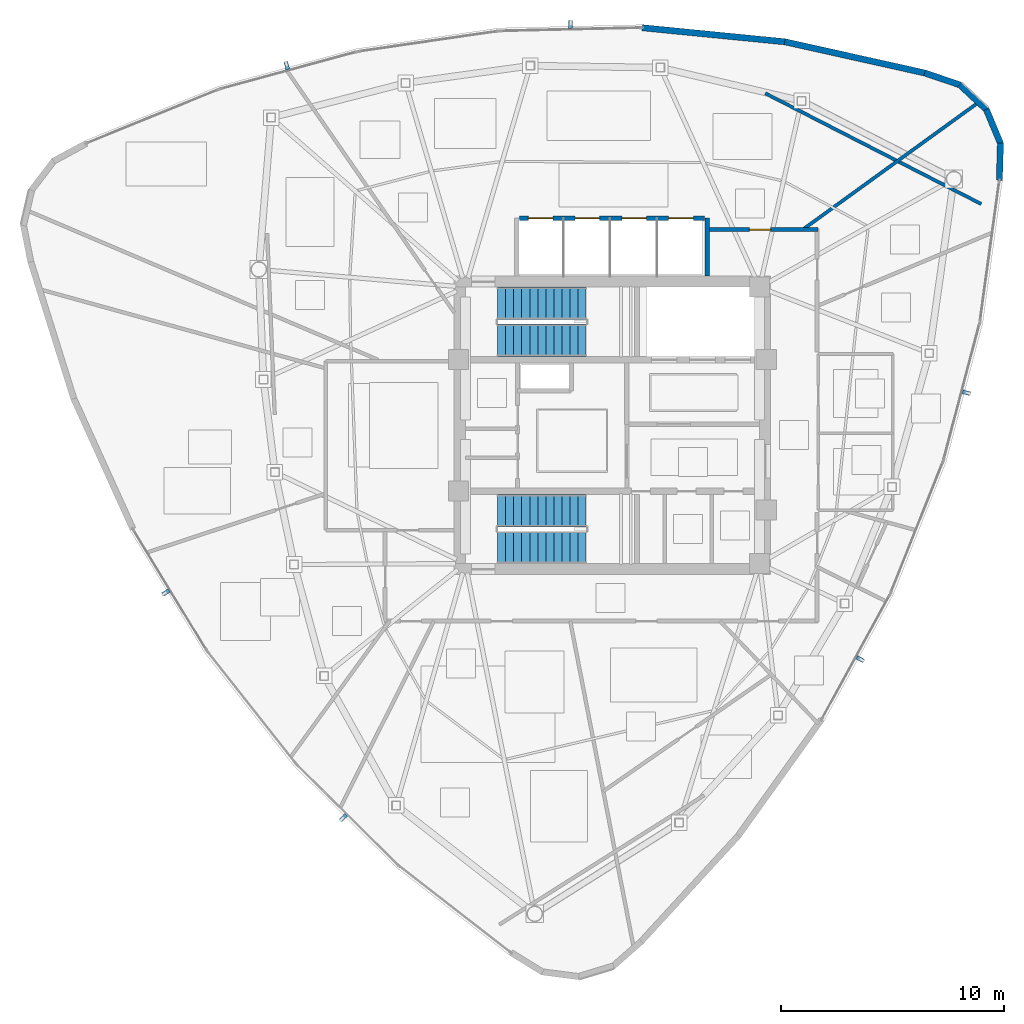
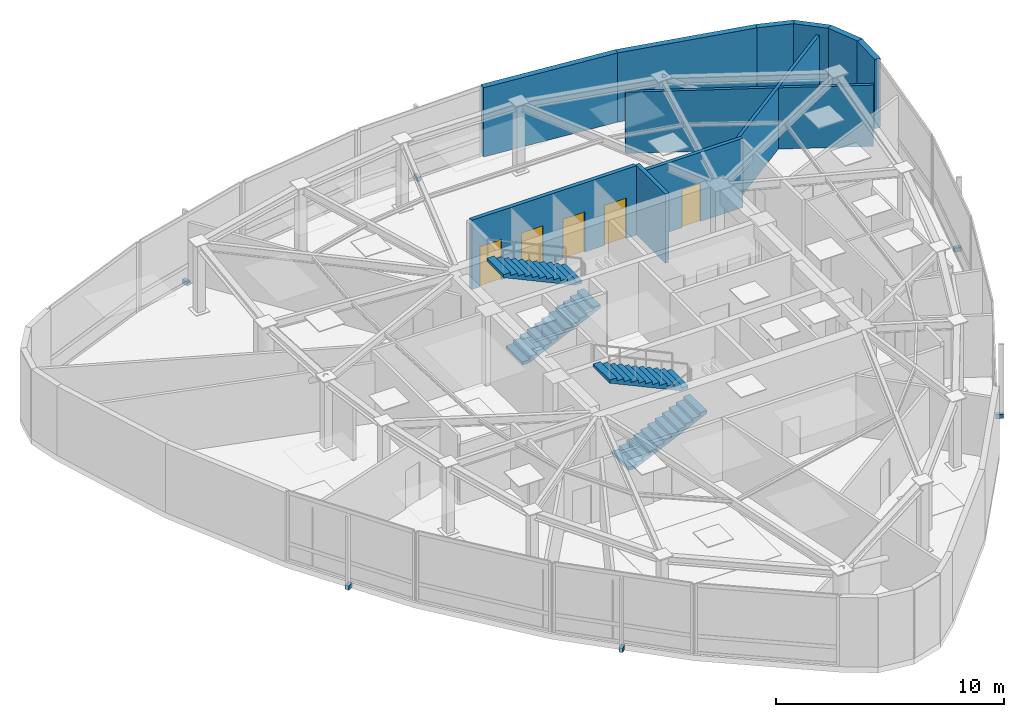
# One storey, part 10 of 12: 11 walls, 6 discrete accessories, 5 doors, 4 stair flights, 5 openings, 2 elements without a shape of their own.
"""IFC4 building model written with IfcOpenShell, lengths in metres."""

from ifc_helpers import new_model, si_unit, direction, frame, frame_2d, origin, origin_2d, place, context, subcontext, project, spatial, polyline, rectangle, outline, extrude, source, transform, mapped, material, layer, layer_set, type_object, type_shapes, element, fill, aggregate, save


model = new_model("IFC4")

# Units and contexts
model_context = context("Model", 3, precision=1e-05, world=origin(), true_north=direction((0.0, 1.0)))
body_context = subcontext(model_context, "Body", "Model", "MODEL_VIEW")
ifc_project = project(units=[si_unit("LENGTHUNIT", "METRE"), si_unit("AREAUNIT", "SQUARE_METRE"), si_unit("VOLUMEUNIT", "CUBIC_METRE"), si_unit("PLANEANGLEUNIT", "RADIAN"), si_unit("MASSUNIT", "GRAM", prefix="KILO")], contexts=[model_context])

# Site, building, storey
site_placement = place(None, origin())
site = spatial("IfcSite", under=ifc_project, at=site_placement, CompositionType="ELEMENT")
building_placement = place(site_placement, origin())
building = spatial("IfcBuilding", under=site, at=building_placement, Name="Tavelor Broadcast Tower", CompositionType="ELEMENT")
storey_placement = place(building_placement, frame((0.0, 0.0, 317.5)))
storey = spatial("IfcBuildingStorey", under=building, at=storey_placement, Name="L76", CompositionType="ELEMENT", Elevation=317.5)

# Wall, opening, door
ifc_material_1 = material(Name="Calcium Silicate Fire Board 180 mm", Category="gypsum")
ifc_layer_1 = layer(ifc_material_1, 0.179931640625)
ifc_layer_set_1 = layer_set([ifc_layer_1], Name="Calcium Silicate Fire Board 180 mm")
wall_type_1 = type_object("IfcWallType", Name="Fire-Rated Corridor Partition Wall 180 mm", PredefinedType="PARTITIONING", material=ifc_layer_set_1)
wall_1_placement = place(storey_placement, frame((54.300048828125, 53.780029296875, 0.0), z_axis=(0.0, 0.0, 1.0), x_axis=(1.0, 0.0, 0.0)))
wall_1 = element("IfcWall", 1, at=wall_1_placement, inside=storey, type_object=wall_type_1, Name="L76 Corridor Compartment Wall 01", PredefinedType="PARTITIONING", context=body_context, shape_type="SweptSolid", body=[
    extrude(rectangle(XDim=4.929931640625, YDim=0.179931640625, at=frame_2d((2.46484375, 0.0))), origin(), (0.0, 0.0, 1.0), 3.699951171875),
])
opening_1_placement = place(wall_1_placement, frame((1.8408203125, 0.0, 0.0)))
opening_1 = element("IfcOpeningElement", 2, at=opening_1_placement, cuts=wall_1, Name="Opening DR18", PredefinedType="OPENING", context=body_context, shape_type="SweptSolid", body=[
    extrude(rectangle(XDim=0.949951171875, YDim=2.050048828125, at=frame_2d((0.47509765625, 1.02490234375))), frame((0.0, 0.10009765625, 0.0), z_axis=(0.0, -1.0, 0.0), x_axis=(1.0, 0.0, 0.0)), (0.0, 0.0, 1.0), 0.199951171875),
])
ifc_material_2 = material(Name="Timber Solid Core Hardwood", Category="wood")
door_type_1 = type_object("IfcDoorType", Name="Corridor Rated Compartment Door 950x2050", OperationType="NOTDEFINED", PredefinedType="DOOR", material=ifc_material_2)
door_1_placement = place(opening_1_placement, origin())
door_1 = element("IfcDoor", 3, at=door_1_placement, inside=storey, type_object=door_type_1, Name="L76 Editorial Quiet Study Door R9", OperationType="SINGLE_SWING_RIGHT", OverallHeight=2.050048828125, OverallWidth=0.949951171875, PredefinedType="DOOR", context=body_context, shape_type="SweptSolid", body=[
    extrude(rectangle(XDim=0.949951171875, YDim=2.050048828125, at=frame_2d((0.47509765625, 1.02490234375))), frame((0.0, 0.02490234375, 0.0), z_axis=(0.0, -1.0, 0.0), x_axis=(1.0, 0.0, 0.0)), (0.0, 0.0, 1.0), 0.050048828125),
])
fill(opening_1, door_1)

# Walls
ifc_material_3 = material(Name="Precast Concrete C40/50", Category="concrete")
ifc_layer_2 = layer(ifc_material_3, 0.280029296875)
ifc_layer_set_2 = layer_set([ifc_layer_2], Name="Precast Concrete C40/50")
wall_type_2 = type_object("IfcWallType", Name="Insulated Precast Terracotta Facade Wall 280 mm", PredefinedType="STANDARD", material=ifc_layer_set_2)
wall_2_placement = place(storey_placement, frame((67.359619140625, 55.99658203125, 0.0), z_axis=(0.0, 0.0, 1.0), x_axis=(0.02871373172, 0.9995876758, 0.0)))
element("IfcWall", 4, at=wall_2_placement, inside=storey, type_object=wall_type_2, Name="L76 Rounded Corner Structural Cladding Pier 21", PredefinedType="STANDARD", context=body_context, shape_type="SweptSolid", body=[
    extrude(rectangle(XDim=1.675048828125, YDim=0.280029296875, at=frame_2d((0.83740234375, 0.0))), origin(), (0.0, 0.0, 1.0), 3.699951171875),
])
for number, where, z_axis, x_axis, name in (
    (5, (67.4130859375, 57.64208984375, 0.0), (0.0, 0.0, 1.0), (-0.385167719297, 0.922846589641, 0.0), "L76 Rounded Corner Structural Cladding Pier 22"),
    (6, (66.789306640625, 59.153076171875, 0.0), (0.0, 0.0, 1.0), (-0.730767241327, 0.682626720107, 0.0), "L76 Rounded Corner Structural Cladding Pier 23"),
):
    element("IfcWall", number, at=place(storey_placement, frame(where, z_axis=z_axis, x_axis=x_axis)), inside=storey, type_object=wall_type_2, Name=name, PredefinedType="STANDARD", context=body_context, shape_type="SweptSolid", body=[
        extrude(rectangle(XDim=1.663330078125, YDim=0.280029296875, at=frame_2d((0.83154296875, 0.0))), origin(), (0.0, 0.0, 1.0), 3.699951171875),
    ])
wall_3_placement = place(storey_placement, frame((65.598876953125, 60.2734375, 0.0), z_axis=(0.0, 0.0, 1.0), x_axis=(-0.946975553398, 0.321305619723, 0.0)))
element("IfcWall", 7, at=wall_3_placement, inside=storey, type_object=wall_type_2, Name="L76 Rounded Corner Structural Cladding Pier 24", PredefinedType="STANDARD", context=body_context, shape_type="SweptSolid", body=[
    extrude(rectangle(XDim=1.68603515625, YDim=0.280029296875, at=frame_2d((0.843017578125, 0.0))), origin(), (0.0, 0.0, 1.0), 3.699951171875),
])
wall_4_placement = place(storey_placement, frame((64.03125, 60.80712890625, 0.0), z_axis=(0.0, 0.0, 1.0), x_axis=(-0.976005326355, 0.217746648486, 0.0)))
element("IfcWall", 8, at=wall_4_placement, inside=storey, type_object=wall_type_2, Name="L76 Rounded Corner Structural Cladding Pier 25", PredefinedType="STANDARD", context=body_context, shape_type="SweptSolid", body=[
    extrude(rectangle(XDim=6.46044921875, YDim=0.280029296875, at=frame_2d((3.230224609375, 0.0))), origin(), (0.0, 0.0, 1.0), 3.699951171875),
])
wall_5_placement = place(storey_placement, frame((57.75537109375, 62.208984375, 0.0), z_axis=(0.0, 0.0, 1.0), x_axis=(-0.995180465795, 0.098060392102, 0.0)))
element("IfcWall", 9, at=wall_5_placement, inside=storey, type_object=wall_type_2, Name="L76 Rounded Corner Structural Cladding Pier 26", PredefinedType="STANDARD", context=body_context, shape_type="SweptSolid", body=[
    extrude(rectangle(XDim=6.4482421875, YDim=0.280029296875, at=frame_2d((3.22412109375, 0.0))), origin(), (0.0, 0.0, 1.0), 3.699951171875),
])
ifc_material_4 = material(Name="Gypsum Acoustic Plasterboard 150 mm", Category="gypsum")
ifc_layer_3 = layer(ifc_material_4, 0.14990234375)
ifc_layer_set_3 = layer_set([ifc_layer_3], Name="Gypsum Acoustic Plasterboard 150 mm")
wall_type_3 = type_object("IfcWallType", Name="Interior Acoustic Partition Wall 150 mm", PredefinedType="PARTITIONING", material=ifc_layer_set_3)
wall_6_placement = place(storey_placement, frame((66.542724609375, 54.934326171875, 0.0), z_axis=(0.0, 0.0, 1.0), x_axis=(-0.889966951661, 0.456025026673, 0.0)))
element("IfcWall", 10, at=wall_6_placement, inside=storey, type_object=wall_type_3, Name="L76 Corner Tube Brace Furring Wall 3", PredefinedType="PARTITIONING", context=body_context, shape_type="SweptSolid", body=[
    extrude(rectangle(XDim=10.878662109375, YDim=0.14990234375, at=frame_2d((5.439453125, 0.0))), origin(), (0.0, 0.0, 1.0), 3.27490234375),
])
wall_7_placement = place(storey_placement, frame((58.53173828125, 53.780029296875, 0.0), z_axis=(0.0, 0.0, 1.0), x_axis=(0.810101990737, 0.586288977045, 0.0)))
element("IfcWall", 11, at=wall_7_placement, inside=storey, type_object=wall_type_3, Name="L76 Radial Compartment Wall 06", PredefinedType="PARTITIONING", context=body_context, shape_type="SweptSolid", body=[
    extrude(rectangle(XDim=9.754150390625, YDim=0.14990234375, at=frame_2d((4.876953125, 0.0))), origin(), (0.0, 0.0, 1.0), 3.27490234375),
])

# Wall, openings, doors
ifc_material_5 = material(Name="Concrete Blockwork 200 mm", Category="masonry")
ifc_layer_4 = layer(ifc_material_5, 0.199951171875)
ifc_layer_set_4 = layer_set([ifc_layer_4], Name="Concrete Blockwork 200 mm")
wall_type_4 = type_object("IfcWallType", Name="Lift Hoistway Rated Front Wall 200 mm", PredefinedType="PARTITIONING", material=ifc_layer_set_4)
wall_8_placement = place(storey_placement, frame((45.820068359375, 54.300048828125, 0.0), z_axis=(0.0, 0.0, 1.0), x_axis=(1.0, 0.0, 0.0)))
wall_8 = element("IfcWall", 12, at=wall_8_placement, inside=storey, type_object=wall_type_4, Name="L76 High-Rise Lift Hoistway Front Wall", PredefinedType="PARTITIONING", context=body_context, shape_type="SweptSolid", body=[
    extrude(rectangle(XDim=8.309814453125, YDim=0.199951171875, at=frame_2d((4.15478515625, 0.0))), origin(), (0.0, 0.0, 1.0), 3.699951171875),
])
opening_2_placement = place(wall_8_placement, frame((0.405029296875, 0.0, 0.0)))
opening_2 = element("IfcOpeningElement", 13, at=opening_2_placement, cuts=wall_8, Name="Opening LD01", PredefinedType="OPENING", context=body_context, shape_type="SweptSolid", body=[
    extrude(rectangle(XDim=1.10009765625, YDim=2.14990234375, at=frame_2d((0.550048828125, 1.074951171875))), frame((0.0, 0.10986328125, 0.0), z_axis=(0.0, -1.0, 0.0), x_axis=(1.0, 0.0, 0.0)), (0.0, 0.0, 1.0), 0.219970703125),
])
opening_3_placement = place(wall_8_placement, frame((2.5048828125, 0.0, 0.0)))
opening_3 = element("IfcOpeningElement", 14, at=opening_3_placement, cuts=wall_8, Name="Opening LD01", PredefinedType="OPENING", context=body_context, shape_type="SweptSolid", body=[
    extrude(rectangle(XDim=1.10009765625, YDim=2.14990234375, at=frame_2d((0.550048828125, 1.074951171875))), frame((0.0, 0.10986328125, 0.0), z_axis=(0.0, -1.0, 0.0), x_axis=(1.0, 0.0, 0.0)), (0.0, 0.0, 1.0), 0.219970703125),
])
opening_4_placement = place(wall_8_placement, frame((4.60498046875, 0.0, 0.0)))
opening_4 = element("IfcOpeningElement", 15, at=opening_4_placement, cuts=wall_8, Name="Opening LD01", PredefinedType="OPENING", context=body_context, shape_type="SweptSolid", body=[
    extrude(rectangle(XDim=1.10009765625, YDim=2.14990234375, at=frame_2d((0.550048828125, 1.074951171875))), frame((0.0, 0.10986328125, 0.0), z_axis=(0.0, -1.0, 0.0), x_axis=(1.0, 0.0, 0.0)), (0.0, 0.0, 1.0), 0.219970703125),
])
opening_5_placement = place(wall_8_placement, frame((6.705078125, 0.0, 0.0)))
opening_5 = element("IfcOpeningElement", 16, at=opening_5_placement, cuts=wall_8, Name="Opening LD01", PredefinedType="OPENING", context=body_context, shape_type="SweptSolid", body=[
    extrude(rectangle(XDim=1.10009765625, YDim=2.14990234375, at=frame_2d((0.550048828125, 1.074951171875))), frame((0.0, 0.10986328125, 0.0), z_axis=(0.0, -1.0, 0.0), x_axis=(1.0, 0.0, 0.0)), (0.0, 0.0, 1.0), 0.219970703125),
])
ifc_material_6 = material(Name="Brushed Stainless Steel", Category="steel")
door_type_2 = type_object("IfcDoorType", Name="Passenger Lift Sliding Landing Door 1100x2150", OperationType="NOTDEFINED", PredefinedType="DOOR", material=ifc_material_6)
door_2_placement = place(opening_2_placement, origin())
door_2 = element("IfcDoor", 17, at=door_2_placement, inside=storey, type_object=door_type_2, Name="L76 Lift PLH1 Sliding Landing Door", OperationType="SLIDING_TO_LEFT", OverallHeight=2.14990234375, OverallWidth=1.10009765625, PredefinedType="DOOR", context=body_context, shape_type="SweptSolid", body=[
    extrude(rectangle(XDim=1.10009765625, YDim=2.14990234375, at=frame_2d((0.550048828125, 1.074951171875))), frame((0.0, 0.02490234375, 0.0), z_axis=(0.0, -1.0, 0.0), x_axis=(1.0, 0.0, 0.0)), (0.0, 0.0, 1.0), 0.050048828125),
])
fill(opening_2, door_2)
door_3_placement = place(opening_3_placement, origin())
door_3 = element("IfcDoor", 18, at=door_3_placement, inside=storey, type_object=door_type_2, Name="L76 Lift PLH2 Sliding Landing Door", OperationType="SLIDING_TO_RIGHT", OverallHeight=2.14990234375, OverallWidth=1.10009765625, PredefinedType="DOOR", context=body_context, shape_type="SweptSolid", body=[
    extrude(rectangle(XDim=1.10009765625, YDim=2.14990234375, at=frame_2d((0.550048828125, 1.074951171875))), frame((0.0, 0.02490234375, 0.0), z_axis=(0.0, -1.0, 0.0), x_axis=(1.0, 0.0, 0.0)), (0.0, 0.0, 1.0), 0.050048828125),
])
fill(opening_3, door_3)
door_4_placement = place(opening_4_placement, origin())
door_4 = element("IfcDoor", 19, at=door_4_placement, inside=storey, type_object=door_type_2, Name="L76 Lift PLH3 Sliding Landing Door", OperationType="SLIDING_TO_LEFT", OverallHeight=2.14990234375, OverallWidth=1.10009765625, PredefinedType="DOOR", context=body_context, shape_type="SweptSolid", body=[
    extrude(rectangle(XDim=1.10009765625, YDim=2.14990234375, at=frame_2d((0.550048828125, 1.074951171875))), frame((0.0, 0.02490234375, 0.0), z_axis=(0.0, -1.0, 0.0), x_axis=(1.0, 0.0, 0.0)), (0.0, 0.0, 1.0), 0.050048828125),
])
fill(opening_4, door_4)
door_5_placement = place(opening_5_placement, origin())
door_5 = element("IfcDoor", 20, at=door_5_placement, inside=storey, type_object=door_type_2, Name="L76 Lift PLH4 Sliding Landing Door", OperationType="SLIDING_TO_RIGHT", OverallHeight=2.14990234375, OverallWidth=1.10009765625, PredefinedType="DOOR", context=body_context, shape_type="SweptSolid", body=[
    extrude(rectangle(XDim=1.10009765625, YDim=2.14990234375, at=frame_2d((0.550048828125, 1.074951171875))), frame((0.0, 0.02490234375, 0.0), z_axis=(0.0, -1.0, 0.0), x_axis=(1.0, 0.0, 0.0)), (0.0, 0.0, 1.0), 0.050048828125),
])
fill(opening_5, door_5)

# Wall
ifc_layer_5 = layer(ifc_material_5, 0.199951171875)
ifc_layer_set_5 = layer_set([ifc_layer_5], Name="Concrete Blockwork 200 mm")
wall_type_5 = type_object("IfcWallType", Name="Lift and Riser Shaft Enclosure Wall 200 mm", PredefinedType="PARTITIONING", material=ifc_layer_set_5)
wall_9_placement = place(storey_placement, frame((54.25, 51.699951171875, 0.0), z_axis=(0.0, 0.0, 1.0), x_axis=(0.0, 1.0, 0.0)))
element("IfcWall", 21, at=wall_9_placement, inside=storey, type_object=wall_type_5, Name="L76 High-Rise Lift Shaft East Wall", PredefinedType="PARTITIONING", context=body_context, shape_type="SweptSolid", body=[
    extrude(rectangle(XDim=2.60009765625, YDim=0.199951171875, at=frame_2d((1.300048828125, 0.0))), origin(), (0.0, 0.0, 1.0), 3.699951171875),
])

# Stair, stair flights
ifc_material_7 = material(Name="Concrete C40/50", Category="concrete")
stair_type = type_object("IfcStairType", Name="Reinforced Concrete Protected Dogleg Stair 1450 mm", PredefinedType="HALF_TURN_STAIR", material=ifc_material_7)
stair_1_placement = place(storey_placement, origin())
stair_1 = element("IfcStair", 22, at=stair_1_placement, inside=storey, type_object=stair_type, Name="L76 Protected Core Exit Stair ST1", PredefinedType="HALF_TURN_STAIR")
stair_flight_type = type_object("IfcStairFlightType", Name="Reinforced Concrete Stair Flight 1450 mm", PredefinedType="STRAIGHT", material=ifc_material_7)
stair_flight_1_placement = place(storey_placement, frame((44.85009765625, 48.824951171875, 0.0), z_axis=(0.0, 0.0, 1.0), x_axis=(1.0, 0.0, 0.0)))
stair_flight_1 = element("IfcStairFlight", 23, at=stair_flight_1_placement, type_object=stair_flight_type, Name="ST1 flight 1", NumberOfRisers=12, NumberOfTreads=11, PredefinedType="STRAIGHT", RiserHeight=0.166666667, TreadLength=0.36, context=body_context, shape_type="SweptSolid", body=[
    extrude(outline(polyline([(0.0, 0.0), (0.0, 0.166748046875), (0.360107421875, 0.166748046875), (0.360107421875, 0.333251953125), (0.719970703125, 0.333251953125), (0.719970703125, 0.5), (1.080078125, 0.5), (1.080078125, 0.666748046875), (1.43994140625, 0.666748046875), (1.43994140625, 0.833251953125), (1.800048828125, 0.833251953125), (1.800048828125, 1.0), (2.159912109375, 1.0), (2.159912109375, 1.166748046875), (2.52001953125, 1.166748046875), (2.52001953125, 1.333251953125), (2.8798828125, 1.333251953125), (2.8798828125, 1.5), (3.239990234375, 1.5), (3.239990234375, 1.666748046875), (3.60009765625, 1.666748046875), (3.60009765625, 1.833251953125), (3.9599609375, 1.833251953125), (3.9599609375, 2.0), (3.9599609375, 1.668212890625), (0.356689453125, 0.0), (0.0, 0.0)])), frame((0.0, 0.72509765625, 0.0), z_axis=(0.0, -1.0, 0.0), x_axis=(1.0, 0.0, 0.0)), (0.0, 0.0, 1.0), 1.449951171875),
])
stair_flight_2_placement = place(storey_placement, frame((48.81005859375, 50.47509765625, 2.0), z_axis=(0.0, 0.0, 1.0), x_axis=(-1.0, 0.0, 0.0)))
stair_flight_2 = element("IfcStairFlight", 24, at=stair_flight_2_placement, type_object=stair_flight_type, Name="ST1 flight 2", NumberOfRisers=12, NumberOfTreads=11, PredefinedType="STRAIGHT", RiserHeight=0.166666667, TreadLength=0.36, context=body_context, shape_type="SweptSolid", body=[
    extrude(outline(polyline([(0.0, 0.0), (0.0, 0.166748046875), (0.360107421875, 0.166748046875), (0.360107421875, 0.333251953125), (0.719970703125, 0.333251953125), (0.719970703125, 0.5), (1.080078125, 0.5), (1.080078125, 0.666748046875), (1.43994140625, 0.666748046875), (1.43994140625, 0.833251953125), (1.800048828125, 0.833251953125), (1.800048828125, 1.0), (2.159912109375, 1.0), (2.159912109375, 1.166748046875), (2.52001953125, 1.166748046875), (2.52001953125, 1.333251953125), (2.8798828125, 1.333251953125), (2.8798828125, 1.5), (3.239990234375, 1.5), (3.239990234375, 1.666748046875), (3.60009765625, 1.666748046875), (3.60009765625, 1.833251953125), (3.9599609375, 1.833251953125), (3.9599609375, 2.0), (3.9599609375, 1.668212890625), (0.356689453125, 0.0), (0.0, 0.0)])), frame((0.0, 0.72509765625, 0.0), z_axis=(0.0, -1.0, 0.0), x_axis=(1.0, 0.0, 0.0)), (0.0, 0.0, 1.0), 1.449951171875),
])
aggregate(stair_1, [stair_flight_1, stair_flight_2])

stair_2_placement = place(storey_placement, origin())
stair_2 = element("IfcStair", 25, at=stair_2_placement, inside=storey, type_object=stair_type, Name="L76 Protected Core Exit Stair ST2", PredefinedType="HALF_TURN_STAIR")
stair_flight_3_placement = place(storey_placement, frame((44.85009765625, 39.52490234375, 0.0), z_axis=(0.0, 0.0, 1.0), x_axis=(1.0, 0.0, 0.0)))
stair_flight_3 = element("IfcStairFlight", 26, at=stair_flight_3_placement, type_object=stair_flight_type, Name="ST2 flight 1", NumberOfRisers=12, NumberOfTreads=11, PredefinedType="STRAIGHT", RiserHeight=0.166666667, TreadLength=0.36, context=body_context, shape_type="SweptSolid", body=[
    extrude(outline(polyline([(0.0, 0.0), (0.0, 0.166748046875), (0.360107421875, 0.166748046875), (0.360107421875, 0.333251953125), (0.719970703125, 0.333251953125), (0.719970703125, 0.5), (1.080078125, 0.5), (1.080078125, 0.666748046875), (1.43994140625, 0.666748046875), (1.43994140625, 0.833251953125), (1.800048828125, 0.833251953125), (1.800048828125, 1.0), (2.159912109375, 1.0), (2.159912109375, 1.166748046875), (2.52001953125, 1.166748046875), (2.52001953125, 1.333251953125), (2.8798828125, 1.333251953125), (2.8798828125, 1.5), (3.239990234375, 1.5), (3.239990234375, 1.666748046875), (3.60009765625, 1.666748046875), (3.60009765625, 1.833251953125), (3.9599609375, 1.833251953125), (3.9599609375, 2.0), (3.9599609375, 1.668212890625), (0.356689453125, 0.0), (0.0, 0.0)])), frame((0.0, 0.72509765625, 0.0), z_axis=(0.0, -1.0, 0.0), x_axis=(1.0, 0.0, 0.0)), (0.0, 0.0, 1.0), 1.449951171875),
])
stair_flight_4_placement = place(storey_placement, frame((48.81005859375, 41.175048828125, 2.0), z_axis=(0.0, 0.0, 1.0), x_axis=(-1.0, 0.0, 0.0)))
stair_flight_4 = element("IfcStairFlight", 27, at=stair_flight_4_placement, type_object=stair_flight_type, Name="ST2 flight 2", NumberOfRisers=12, NumberOfTreads=11, PredefinedType="STRAIGHT", RiserHeight=0.166666667, TreadLength=0.36, context=body_context, shape_type="SweptSolid", body=[
    extrude(outline(polyline([(0.0, 0.0), (0.0, 0.166748046875), (0.360107421875, 0.166748046875), (0.360107421875, 0.333251953125), (0.719970703125, 0.333251953125), (0.719970703125, 0.5), (1.080078125, 0.5), (1.080078125, 0.666748046875), (1.43994140625, 0.666748046875), (1.43994140625, 0.833251953125), (1.800048828125, 0.833251953125), (1.800048828125, 1.0), (2.159912109375, 1.0), (2.159912109375, 1.166748046875), (2.52001953125, 1.166748046875), (2.52001953125, 1.333251953125), (2.8798828125, 1.333251953125), (2.8798828125, 1.5), (3.239990234375, 1.5), (3.239990234375, 1.666748046875), (3.60009765625, 1.666748046875), (3.60009765625, 1.833251953125), (3.9599609375, 1.833251953125), (3.9599609375, 2.0), (3.9599609375, 1.668212890625), (0.356689453125, 0.0), (0.0, 0.0)])), frame((0.0, 0.72509765625, 0.0), z_axis=(0.0, -1.0, 0.0), x_axis=(1.0, 0.0, 0.0)), (0.0, 0.0, 1.0), 1.449951171875),
])
aggregate(stair_2, [stair_flight_3, stair_flight_4])

# Discrete accessories
ifc_material_8 = material(Name="Steel S355", Category="steel")
discrete_accessory_type = type_object("IfcDiscreteAccessoryType", Name="Stainless Baguette Outrigger Support Bracket 260x180", PredefinedType="BRACKET", material=ifc_material_8)
shared_shape = source(origin(), body_context, "Body", "SweptSolid", [
    extrude(rectangle(XDim=0.179931640625, YDim=0.340087890625, at=origin_2d()), origin(), (0.0, 0.0, 1.0), 0.216064453125),
])
type_shapes(discrete_accessory_type, [shared_shape])
for number, where, z_axis, x_axis, name in (
    (28, (29.961669921875, 37.4990234375, -0.2578125), (0.0, 0.0, 1.0), (0.519817342621, -0.854277431699, 0.0), "L76 Baguette Outrigger Bracket 727"),
    (29, (37.9306640625, 27.399658203125, -0.2578125), (0.0, 0.0, 1.0), (0.709939584863, -0.704262583022, 0.0), "L76 Baguette Outrigger Bracket 728"),
    (30, (61.115234375, 34.514404296875, -0.2578125), (0.0, 0.0, 1.0), (0.479917286421, 0.877313739887, 0.0), "L76 Baguette Outrigger Bracket 729"),
    (31, (65.877197265625, 46.465576171875, -0.2578125), (0.0, 0.0, 1.0), (0.2549394954, 0.966957007154, 0.0), "L76 Baguette Outrigger Bracket 730"),
    (32, (48.123046875, 62.986572265625, -0.2578125), (0.0, 0.0, 1.0), (-0.999730593221, -0.023210794445, 0.0), "L76 Baguette Outrigger Bracket 731"),
    (33, (35.39208984375, 61.135009765625, -0.2578125), (0.0, 0.0, 1.0), (-0.964879080263, -0.262694424132, 0.0), "L76 Baguette Outrigger Bracket 732"),
):
    element("IfcDiscreteAccessory", number, at=place(storey_placement, frame(where, z_axis=z_axis, x_axis=x_axis)), inside=storey, type_object=discrete_accessory_type, Name=name, PredefinedType="BRACKET", context=body_context, shape_type="MappedRepresentation", body=[
        mapped(shared_shape, transform((0.0, 0.0, 0.0), scale=1.0)),
    ])

save(model, "model.ifc")
